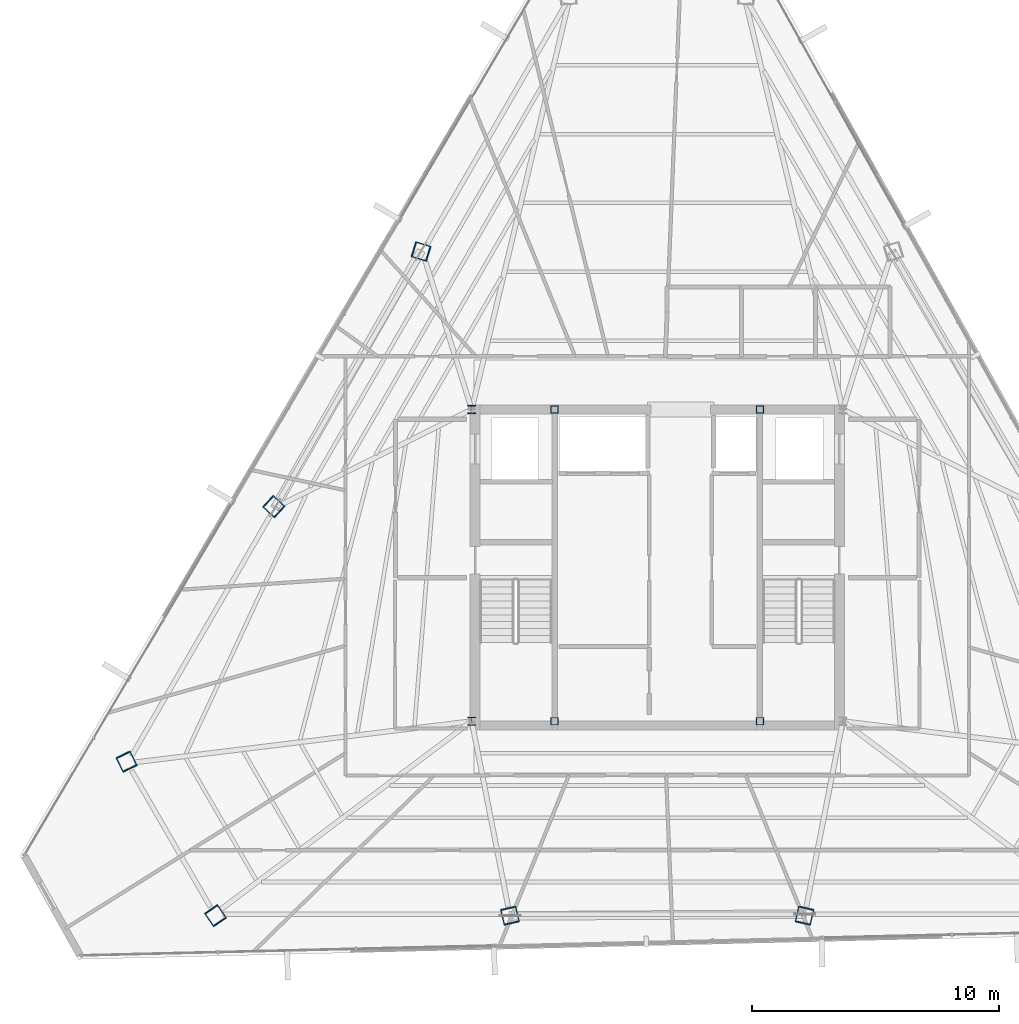
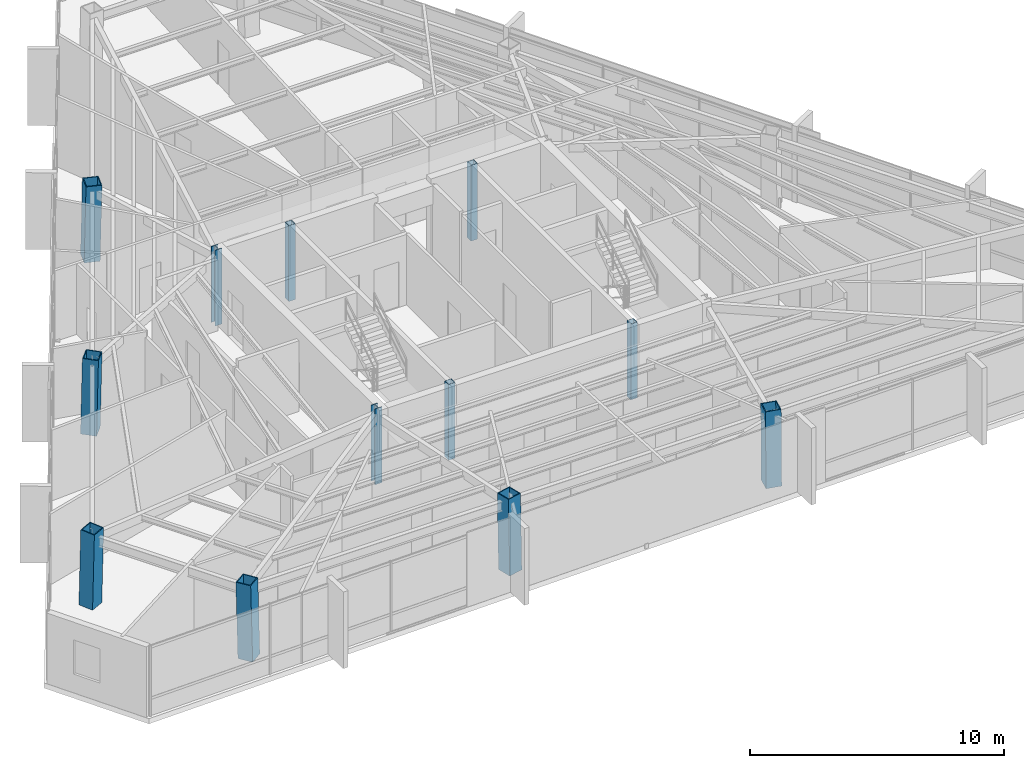
# One storey, part 1 of 45: 12 columns.
"""IFC4 building model written with IfcOpenShell, lengths in metres."""

from ifc_helpers import new_model, si_unit, direction, frame, origin, origin_2d, place, context, subcontext, project, spatial, hollow_rectangle, i_section, extrude, source, transform, mapped, material, material_profile, profile_set, type_object, type_shapes, element, save


model = new_model("IFC4")

# Units and contexts
model_context = context("Model", 3, precision=1e-05, world=origin(), true_north=direction((0.0, 1.0)))
body_context = subcontext(model_context, "Body", "Model", "MODEL_VIEW")
ifc_project = project(units=[si_unit("LENGTHUNIT", "METRE"), si_unit("AREAUNIT", "SQUARE_METRE"), si_unit("VOLUMEUNIT", "CUBIC_METRE"), si_unit("PLANEANGLEUNIT", "RADIAN"), si_unit("MASSUNIT", "GRAM", prefix="KILO")], contexts=[model_context])

# Site, building, storey
site_placement = place(None, origin())
site = spatial("IfcSite", under=ifc_project, at=site_placement, CompositionType="ELEMENT")
building_placement = place(site_placement, origin())
building = spatial("IfcBuilding", under=site, at=building_placement, Name="Caelisora Broadcast Tower", CompositionType="ELEMENT")
storey_placement = place(building_placement, frame((0.0, 0.0, 266.35009765625)))
storey = spatial("IfcBuildingStorey", under=building, at=storey_placement, Name="L70", CompositionType="ELEMENT", Elevation=266.35009765625)

# Columns
ifc_material_1 = material(Name="Steel Grade 350 (AS/NZS 3679.1)", Category="steel")
ifc_material_profile_1 = material_profile(ifc_material_1, i_section(OverallWidth=0.31103515625, OverallDepth=0.3271484375, WebThickness=0.015625, FlangeThickness=0.02490234375, at=origin_2d()), Name="Steel Grade 350 (AS/NZS 3679.1)")
ifc_profile_set_1 = profile_set([ifc_material_profile_1], Name="Steel Grade 350 (AS/NZS 3679.1)")
column_type_1 = type_object("IfcColumnType", Name="CC03", PredefinedType="COLUMN", material=ifc_profile_set_1)
shared_shape_1 = source(origin(), body_context, "Body", "SweptSolid", [
    extrude(i_section(OverallWidth=0.31103515625, OverallDepth=0.3271484375, WebThickness=0.015625, FlangeThickness=0.02490234375, at=origin_2d()), origin(), (0.0, 0.0, 1.0), 3.64990234375),
])
type_shapes(column_type_1, [shared_shape_1])
for number, where, z_axis, x_axis, name in (
    (1, (30.5, 17.39990234375, 0.0), (0.0, 0.0, 1.0), (1.0, 0.0, 0.0), "L70 column CC03"),
    (2, (30.5, 30.0, 0.0), (0.0, 0.0, 1.0), (1.0, 0.0, 0.0), "L70 column CC03"),
):
    element("IfcColumn", number, at=place(storey_placement, frame(where, z_axis=z_axis, x_axis=x_axis)), inside=storey, type_object=column_type_1, Name=name, PredefinedType="COLUMN", context=body_context, shape_type="MappedRepresentation", body=[
        mapped(shared_shape_1, transform((0.0, 0.0, 0.0), scale=1.0)),
    ])
ifc_material_2 = material(Name="Steel Grade 350 L15 (AS/NZS 3678)", Category="steel")
ifc_material_profile_2 = material_profile(ifc_material_2, hollow_rectangle(XDim=0.64990234375, YDim=0.64990234375, WallThickness=0.0400390625, at=origin_2d()), Name="Steel Grade 350 L15 (AS/NZS 3678)")
ifc_profile_set_2 = profile_set([ifc_material_profile_2], Name="Steel Grade 350 L15 (AS/NZS 3678)")
column_type_2 = type_object("IfcColumnType", Name="MC06", PredefinedType="COLUMN", material=ifc_profile_set_2)
shared_shape_2 = source(origin(), body_context, "Body", "SweptSolid", [
    extrude(hollow_rectangle(XDim=0.64990234375, YDim=0.64990234375, WallThickness=0.0400390625, at=origin_2d()), origin(), (0.0, 0.0, 1.0), 3.65087890625),
])
for number, where, z_axis, x_axis, name in (
    (3, (16.543701171875, 15.77880859375, 0.0), (0.010431795422, -0.021532295679, 0.999713727968), (0.899947055326, 0.435999194506, 0.0), "L70 column MC06"),
    (4, (20.152099609375, 9.529052734375, 0.0), (-0.013440967269, 0.019793663242, 0.999713734673), (-0.827290216258, -0.561774775229, 0.0), "L70 column MC06"),
):
    element("IfcColumn", number, at=place(storey_placement, frame(where, z_axis=z_axis, x_axis=x_axis)), inside=storey, type_object=column_type_2, Name=name, PredefinedType="COLUMN", context=body_context, shape_type="MappedRepresentation", body=[
        mapped(shared_shape_2, transform((0.0, 0.0, 0.0), scale=1.0)),
    ])
shared_shape_3 = source(origin(), body_context, "Body", "SweptSolid", [
    extrude(hollow_rectangle(XDim=0.64990234375, YDim=0.64990234375, WallThickness=0.0400390625, at=origin_2d()), origin(), (0.0, 0.0, 1.0), 3.650634765625),
])
type_shapes(column_type_2, [shared_shape_2, shared_shape_3])
for number, where, z_axis, x_axis, name in (
    (5, (28.4423828125, 36.3876953125, 0.0), (0.019393993486, -0.006018825565, 0.999793802119), (0.296399214872, 0.955064136811, 0.0), "L70 column MC06"),
    (6, (22.4931640625, 26.083251953125, 0.0), (0.014913313399, -0.013776424037, 0.999793880369), (0.678553674548, 0.734550822447, 0.0), "L70 column MC06"),
    (7, (32.05078125, 9.529052734375, 0.0), (-0.004547556686, 0.019795246753, 0.99979371269), (-0.974612694662, -0.223897510936, 0.0), "L70 column MC06"),
    (8, (43.94921875, 9.529052734375, 0.0), (0.004547556686, 0.019795246753, 0.99979371269), (-0.974612694662, 0.223897510936, 0.0), "L70 column MC06"),
):
    element("IfcColumn", number, at=place(storey_placement, frame(where, z_axis=z_axis, x_axis=x_axis)), inside=storey, type_object=column_type_2, Name=name, PredefinedType="COLUMN", context=body_context, shape_type="MappedRepresentation", body=[
        mapped(shared_shape_3, transform((0.0, 0.0, 0.0), scale=1.0)),
    ])
ifc_material_3 = material(Name="Steel Grade 350 (AS/NZS 1163 C350L0)", Category="steel")
ifc_material_profile_3 = material_profile(ifc_material_3, hollow_rectangle(XDim=0.300048828125, YDim=0.300048828125, WallThickness=0.012451171875, at=origin_2d()), Name="Steel Grade 350 (AS/NZS 1163 C350L0)")
ifc_profile_set_3 = profile_set([ifc_material_profile_3], Name="Steel Grade 350 (AS/NZS 1163 C350L0)")
column_type_3 = type_object("IfcColumnType", Name="CC08", PredefinedType="COLUMN", material=ifc_profile_set_3)
shared_shape_4 = source(origin(), body_context, "Body", "SweptSolid", [
    extrude(hollow_rectangle(XDim=0.300048828125, YDim=0.300048828125, WallThickness=0.012451171875, at=origin_2d()), origin(), (0.0, 0.0, 1.0), 3.64990234375),
])
type_shapes(column_type_3, [shared_shape_4])
for number, where, z_axis, x_axis, name in (
    (9, (33.85009765625, 17.39990234375, 0.0), (0.0, 0.0, 1.0), (1.0, 0.0, 0.0), "L70 column CC08"),
    (10, (42.14990234375, 17.39990234375, 0.0), (0.0, 0.0, 1.0), (1.0, 0.0, 0.0), "L70 column CC08"),
    (11, (33.85009765625, 30.0, 0.0), (0.0, 0.0, 1.0), (1.0, 0.0, 0.0), "L70 column CC08"),
    (12, (42.14990234375, 30.0, 0.0), (0.0, 0.0, 1.0), (1.0, 0.0, 0.0), "L70 column CC08"),
):
    element("IfcColumn", number, at=place(storey_placement, frame(where, z_axis=z_axis, x_axis=x_axis)), inside=storey, type_object=column_type_3, Name=name, PredefinedType="COLUMN", context=body_context, shape_type="MappedRepresentation", body=[
        mapped(shared_shape_4, transform((0.0, 0.0, 0.0), scale=1.0)),
    ])

save(model, "model.ifc")
